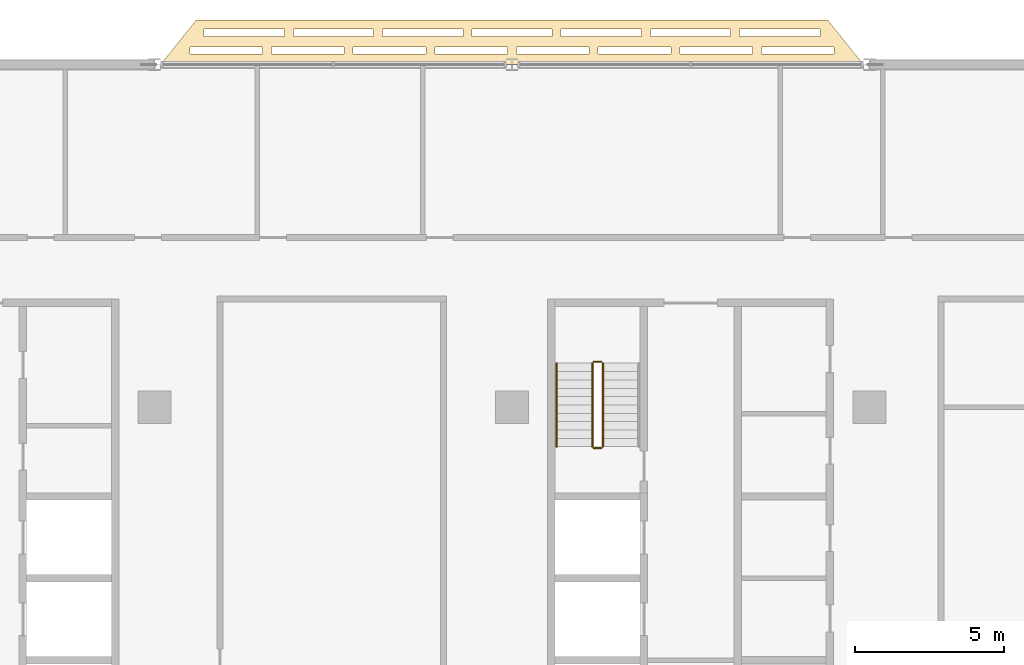
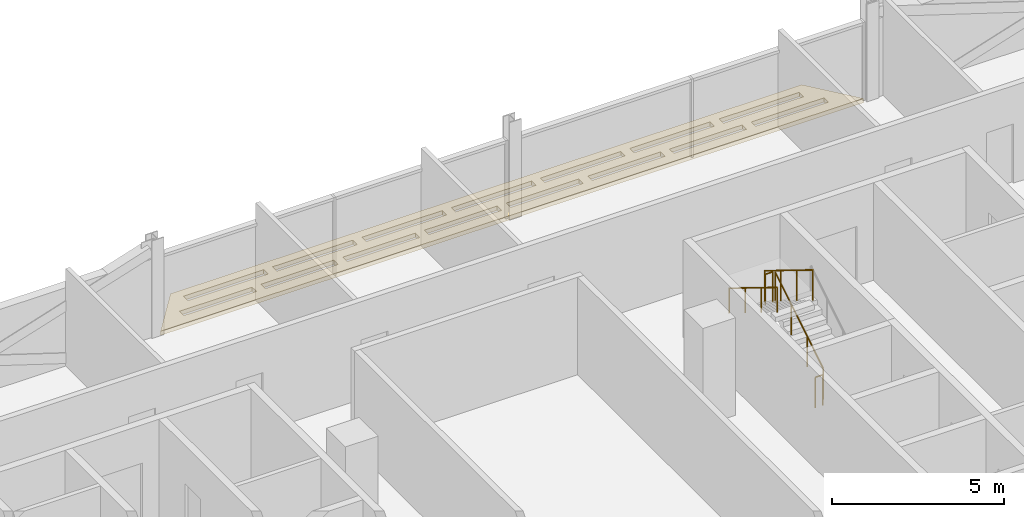
# One storey, part 28 of 30: 5 railings, 1 covering.
"""IFC4 building model written with IfcOpenShell, lengths in metres."""

from ifc_helpers import new_model, si_unit, direction, frame, origin, origin_2d, place, context, subcontext, project, spatial, polyline, circle, outline, extrude, material, layer, layer_set, type_object, element, save


model = new_model("IFC4")

# Units and contexts
model_context = context("Model", 3, precision=1e-05, world=origin(), true_north=direction((0.0, 1.0)))
body_context = subcontext(model_context, "Body", "Model", "MODEL_VIEW")
ifc_project = project(units=[si_unit("LENGTHUNIT", "METRE"), si_unit("AREAUNIT", "SQUARE_METRE"), si_unit("VOLUMEUNIT", "CUBIC_METRE"), si_unit("PLANEANGLEUNIT", "RADIAN"), si_unit("MASSUNIT", "GRAM", prefix="KILO")], contexts=[model_context])

# Site, building, storey
site_placement = place(None, origin())
site = spatial("IfcSite", under=ifc_project, at=site_placement, CompositionType="ELEMENT")
building_placement = place(site_placement, origin())
building = spatial("IfcBuilding", under=site, at=building_placement, Name="Mahtab Terrace Research Tower", CompositionType="ELEMENT")
storey_placement = place(building_placement, frame((0.0, 0.0, 205.300048828125)))
storey = spatial("IfcBuildingStorey", under=building, at=storey_placement, Name="L49", CompositionType="ELEMENT", Elevation=205.300048828125)

# Covering
ifc_material_1 = material(Name="Black anodised aluminium", Category="aluminium")
ifc_layer = layer(ifc_material_1, 0.14990234375)
ifc_layer_set = layer_set([ifc_layer], Name="Horizontal sunshade band")
covering_type = type_object("IfcCoveringType", Name="Horizontal sunshade band", PredefinedType="CLADDING", material=ifc_layer_set)
covering_placement = place(storey_placement, frame((0.0, 0.0, -0.150146484375)))
element("IfcCovering", 1, at=covering_placement, inside=storey, type_object=covering_type, Name="Sunshade band L49 5", PredefinedType="CLADDING", context=body_context, shape_type="SweptSolid", body=[
    extrude(outline(polyline([(29.800048828125, 23.0), (6.199951171875, 23.0), (7.39990234375, 24.5), (28.60009765625, 24.5), (29.800048828125, 23.0)]), holes=[polyline([(28.820068359375, 23.35009765625), (26.3779296875, 23.35009765625), (26.3779296875, 23.60009765625), (28.820068359375, 23.60009765625), (28.820068359375, 23.35009765625)]), polyline([(26.077880859375, 23.35009765625), (23.635009765625, 23.35009765625), (23.635009765625, 23.60009765625), (26.077880859375, 23.60009765625), (26.077880859375, 23.35009765625)]), polyline([(23.3349609375, 23.35009765625), (20.89306640625, 23.35009765625), (20.89306640625, 23.60009765625), (23.3349609375, 23.60009765625), (23.3349609375, 23.35009765625)]), polyline([(20.593017578125, 23.35009765625), (18.14990234375, 23.35009765625), (18.14990234375, 23.60009765625), (20.593017578125, 23.60009765625), (20.593017578125, 23.35009765625)]), polyline([(17.85009765625, 23.35009765625), (15.406982421875, 23.35009765625), (15.406982421875, 23.60009765625), (17.85009765625, 23.60009765625), (17.85009765625, 23.35009765625)]), polyline([(15.10791015625, 23.35009765625), (12.6650390625, 23.35009765625), (12.6650390625, 23.60009765625), (15.10791015625, 23.60009765625), (15.10791015625, 23.35009765625)]), polyline([(12.364990234375, 23.35009765625), (9.922119140625, 23.35009765625), (9.922119140625, 23.60009765625), (12.364990234375, 23.60009765625), (12.364990234375, 23.35009765625)]), polyline([(9.623046875, 23.35009765625), (7.179931640625, 23.35009765625), (7.179931640625, 23.60009765625), (9.623046875, 23.60009765625), (9.623046875, 23.35009765625)]), polyline([(28.340087890625, 23.949951171875), (25.64306640625, 23.949951171875), (25.64306640625, 24.199951171875), (28.340087890625, 24.199951171875), (28.340087890625, 23.949951171875)]), polyline([(25.343017578125, 23.949951171875), (22.64599609375, 23.949951171875), (22.64599609375, 24.199951171875), (25.343017578125, 24.199951171875), (25.343017578125, 23.949951171875)]), polyline([(22.345947265625, 23.949951171875), (19.64892578125, 23.949951171875), (19.64892578125, 24.199951171875), (22.345947265625, 24.199951171875), (22.345947265625, 23.949951171875)]), polyline([(19.34912109375, 23.949951171875), (16.65087890625, 23.949951171875), (16.65087890625, 24.199951171875), (19.34912109375, 24.199951171875), (19.34912109375, 23.949951171875)]), polyline([(16.35107421875, 23.949951171875), (13.654052734375, 23.949951171875), (13.654052734375, 24.199951171875), (16.35107421875, 24.199951171875), (16.35107421875, 23.949951171875)]), polyline([(13.35400390625, 23.949951171875), (10.656982421875, 23.949951171875), (10.656982421875, 24.199951171875), (13.35400390625, 24.199951171875), (13.35400390625, 23.949951171875)]), polyline([(10.35693359375, 23.949951171875), (7.659912109375, 23.949951171875), (7.659912109375, 24.199951171875), (10.35693359375, 24.199951171875), (10.35693359375, 23.949951171875)])]), origin(), (0.0, 0.0, 1.0), 0.150146484375),
])

# Railings
ifc_material_2 = material(Name="Stainless steel AISI 304", Category="steel")
railing_type_1 = type_object("IfcRailingType", Name="Stair guard 1100", PredefinedType="GUARDRAIL", material=ifc_material_2)
railing_1_placement = place(storey_placement, frame((21.050048828125, 10.175048828125, 0.172607421875)))
element("IfcRailing", 2, at=railing_1_placement, inside=storey, type_object=railing_type_1, Name="L49 ST3 stair guard 1", PredefinedType="GUARDRAIL", context=body_context, shape_type="SweptSolid", body=[
    extrude(circle(Radius=0.02392578125, at=origin_2d()), frame((0.0, 0.0, 1.076171875), z_axis=(0.0, 0.851089632645, 0.525020415988), x_axis=(-1.0, 0.0, 0.0)), (0.0, 0.0, 1.0), 3.2900390625),
    extrude(circle(Radius=0.02099609375, at=origin_2d()), origin(), (0.0, 0.0, 1.0), 1.052001953125),
    extrude(circle(Radius=0.02099609375, at=origin_2d()), frame((0.0, 0.933349609375, 0.57568359375)), (0.0, 0.0, 1.0), 1.052001953125),
    extrude(circle(Radius=0.02099609375, at=origin_2d()), frame((0.0, 1.86669921875, 1.151611328125)), (0.0, 0.0, 1.0), 1.052001953125),
    extrude(circle(Radius=0.02099609375, at=origin_2d()), frame((0.0, 2.800048828125, 1.727294921875)), (0.0, 0.0, 1.0), 1.052001953125),
])
railing_2_placement = place(storey_placement, frame((21.0, 13.02490234375, 1.89990234375)))
element("IfcRailing", 3, at=railing_2_placement, inside=storey, type_object=railing_type_1, Name="L49 ST3 stair guard 2", PredefinedType="GUARDRAIL", context=body_context, shape_type="SweptSolid", body=[
    extrude(circle(Radius=0.02392578125, at=origin_2d()), frame((0.0, 0.0, 1.076171875), z_axis=(-1.0, 0.0, 0.0), x_axis=(0.0, -1.0, 0.0)), (0.0, 0.0, 1.0), 0.25),
    extrude(circle(Radius=0.02099609375, at=origin_2d()), origin(), (0.0, 0.0, 1.0), 1.052001953125),
    extrude(circle(Radius=0.02099609375, at=origin_2d()), frame((-0.25, 0.0, 0.0)), (0.0, 0.0, 1.0), 1.052001953125),
])
railing_3_placement = place(storey_placement, frame((20.699951171875, 12.97509765625, 2.07275390625)))
element("IfcRailing", 4, at=railing_3_placement, inside=storey, type_object=railing_type_1, Name="L49 ST3 stair guard 3", PredefinedType="GUARDRAIL", context=body_context, shape_type="SweptSolid", body=[
    extrude(circle(Radius=0.02392578125, at=origin_2d()), frame((0.0, 0.0, 1.076171875), z_axis=(0.0, -0.851089632645, 0.525020415988), x_axis=(1.0, 0.0, 0.0)), (0.0, 0.0, 1.0), 3.2900390625),
    extrude(circle(Radius=0.02099609375, at=origin_2d()), origin(), (0.0, 0.0, 1.0), 1.052001953125),
    extrude(circle(Radius=0.02099609375, at=origin_2d()), frame((0.0, -0.933349609375, 0.57568359375)), (0.0, 0.0, 1.0), 1.052001953125),
    extrude(circle(Radius=0.02099609375, at=origin_2d()), frame((0.0, -1.86669921875, 1.151611328125)), (0.0, 0.0, 1.0), 1.052001953125),
    extrude(circle(Radius=0.02099609375, at=origin_2d()), frame((0.0, -2.800048828125, 1.727294921875)), (0.0, 0.0, 1.0), 1.052001953125),
])
railing_4_placement = place(storey_placement, frame((21.0, 10.125, 0.0)))
element("IfcRailing", 5, at=railing_4_placement, inside=storey, type_object=railing_type_1, Name="L49 ST3 stair guard 4", PredefinedType="GUARDRAIL", context=body_context, shape_type="SweptSolid", body=[
    extrude(circle(Radius=0.02392578125, at=origin_2d()), frame((0.0, 0.0, 1.076171875), z_axis=(-1.0, 0.0, 0.0), x_axis=(0.0, -1.0, 0.0)), (0.0, 0.0, 1.0), 0.25),
    extrude(circle(Radius=0.02099609375, at=origin_2d()), origin(), (0.0, 0.0, 1.0), 1.052001953125),
    extrude(circle(Radius=0.02099609375, at=origin_2d()), frame((-0.25, 0.0, 0.0)), (0.0, 0.0, 1.0), 1.052001953125),
])
railing_type_2 = type_object("IfcRailingType", Name="Stair handrail 900", PredefinedType="HANDRAIL", material=ifc_material_2)
railing_5_placement = place(storey_placement, frame((19.5, 12.97509765625, 2.07275390625)))
element("IfcRailing", 6, at=railing_5_placement, inside=storey, type_object=railing_type_2, Name="L49 ST3 stair handrail 2", PredefinedType="HANDRAIL", context=body_context, shape_type="SweptSolid", body=[
    extrude(circle(Radius=0.02392578125, at=origin_2d()), frame((0.0, 0.0, 0.8759765625), z_axis=(0.0, -0.851089632645, 0.525020415988), x_axis=(1.0, 0.0, 0.0)), (0.0, 0.0, 1.0), 3.2900390625),
    extrude(circle(Radius=0.02099609375, at=origin_2d()), origin(), (0.0, 0.0, 1.0), 0.851806640625),
    extrude(circle(Radius=0.02099609375, at=origin_2d()), frame((0.0, -0.933349609375, 0.57568359375)), (0.0, 0.0, 1.0), 0.851806640625),
    extrude(circle(Radius=0.02099609375, at=origin_2d()), frame((0.0, -1.86669921875, 1.151611328125)), (0.0, 0.0, 1.0), 0.851806640625),
    extrude(circle(Radius=0.02099609375, at=origin_2d()), frame((0.0, -2.800048828125, 1.727294921875)), (0.0, 0.0, 1.0), 0.851806640625),
])

save(model, "model.ifc")
